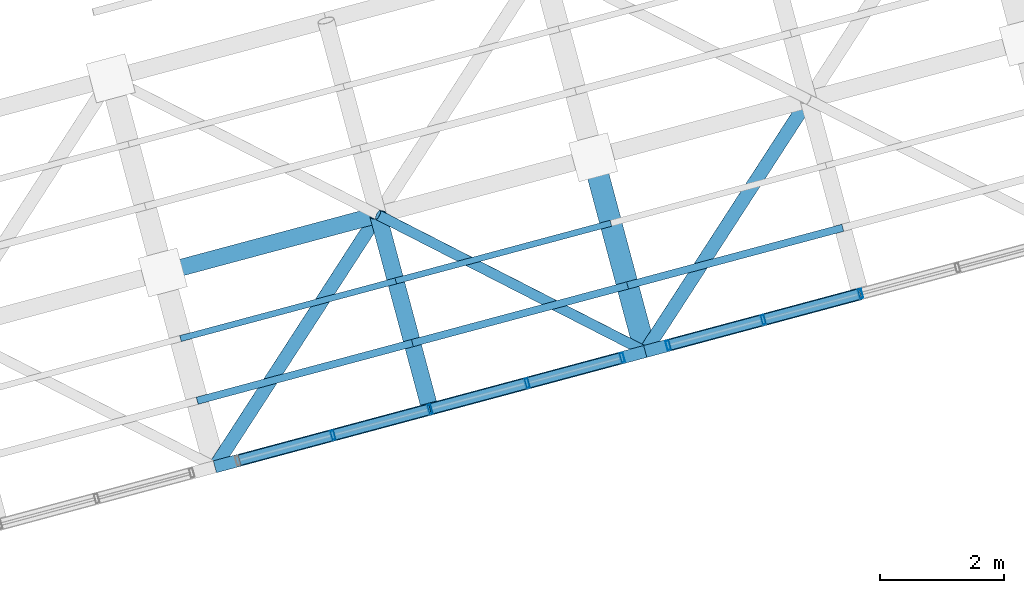
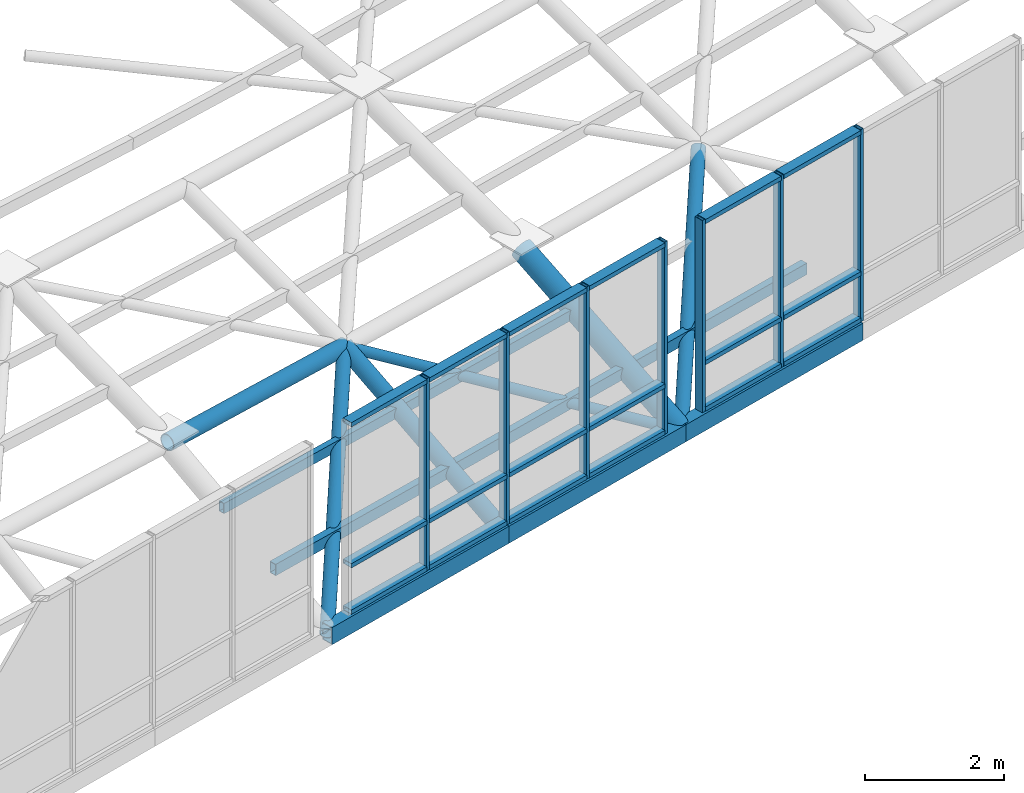
# One storey, part 3 of 29: 39 members, 2 elements without a shape of their own.
"""IFC4 building model written with IfcOpenShell, lengths in metres."""

from ifc_helpers import new_model, si_unit, direction, frame, origin, origin_2d, place, context, subcontext, project, spatial, hollow_rectangle, hollow_circle, extrude, material, layer, layer_set, material_profile, profile_set, type_object, element, aggregate, save


model = new_model("IFC4")

# Units and contexts
model_context = context("Model", 3, precision=1e-05, world=origin(), true_north=direction((0.0, 1.0)))
body_context = subcontext(model_context, "Body", "Model", "MODEL_VIEW")
ifc_project = project(units=[si_unit("LENGTHUNIT", "METRE"), si_unit("AREAUNIT", "SQUARE_METRE"), si_unit("VOLUMEUNIT", "CUBIC_METRE"), si_unit("PLANEANGLEUNIT", "RADIAN"), si_unit("MASSUNIT", "GRAM", prefix="KILO")], contexts=[model_context])

# Site, building, storey
site_placement = place(None, origin())
site = spatial("IfcSite", under=ifc_project, at=site_placement, CompositionType="ELEMENT")
building_placement = place(site_placement, origin())
building = spatial("IfcBuilding", under=site, at=building_placement, Name="Ventoquebrada Cableway Terminal", CompositionType="ELEMENT")
storey_placement = place(building_placement, frame((0.0, 0.0, 18.89990234375)))
storey = spatial("IfcBuildingStorey", under=building, at=storey_placement, Name="L04", CompositionType="ELEMENT", Elevation=18.89990234375)

# Members
ifc_material_1 = material(Name="Steel ASTM A500 Grade C", Category="steel")
ifc_material_profile_1 = material_profile(ifc_material_1, hollow_circle(Radius=0.109619140625, WallThickness=0.010009765625, at=origin_2d()), Name="CHS219.1X10")
ifc_profile_set_1 = profile_set([ifc_material_profile_1], Name="Steel ASTM A500 Grade C")
member_type_1 = type_object("IfcMemberType", Name="BRC-GS01", PredefinedType="BRACE", material=ifc_profile_set_1)
member_1_placement = place(storey_placement, frame((58.93310546875, 71.64794921875, 0.920166015625), z_axis=(0.514518979655, 0.794628506599, 0.322235559917), x_axis=(-0.839402648036, 0.543510068416, 0.0)))
element("IfcMember", 1, at=member_1_placement, inside=storey, type_object=member_type_1, Name="Saddle gridshell diagrid brace GBR-0241", PredefinedType="BRACE", context=body_context, shape_type="SweptSolid", body=[
    extrude(hollow_circle(Radius=0.109619140625, WallThickness=0.010009765625, at=origin_2d()), origin(), (0.0, 0.0, 1.0), 5.123291015625),
])
member_2_placement = place(storey_placement, frame((65.886962890625, 73.510986328125, 0.920166015625), z_axis=(0.516936568346, 0.79836225592, 0.308859664944), x_axis=(-0.839402648036, 0.543510068416, 0.0)))
element("IfcMember", 2, at=member_2_placement, inside=storey, type_object=member_type_1, Name="Saddle gridshell diagrid brace GBR-0289", PredefinedType="BRACE", context=body_context, shape_type="SweptSolid", body=[
    extrude(hollow_circle(Radius=0.109619140625, WallThickness=0.010009765625, at=origin_2d()), origin(), (0.0, 0.0, 1.0), 5.099365234375),
])
ifc_material_profile_2 = material_profile(ifc_material_1, hollow_circle(Radius=0.084228515625, WallThickness=0.008056640625, at=origin_2d()), Name="CHS168.3X8")
ifc_profile_set_2 = profile_set([ifc_material_profile_2], Name="Steel ASTM A500 Grade C")
member_type_2 = type_object("IfcMemberType", Name="BRC-GS02", PredefinedType="BRACE", material=ifc_profile_set_2)
member_3_placement = place(storey_placement, frame((61.569091796875, 75.718994140625, 2.571044921875), z_axis=(0.842847067078, -0.431002424214, -0.322251038538), x_axis=(0.455290222831, 0.890343087239, 0.0)))
element("IfcMember", 3, at=member_3_placement, inside=storey, type_object=member_type_2, Name="Saddle gridshell diagrid brace GBR-0265", PredefinedType="BRACE", context=body_context, shape_type="SweptSolid", body=[
    extrude(hollow_circle(Radius=0.084228515625, WallThickness=0.008056640625, at=origin_2d()), origin(), (0.0, 0.0, 1.0), 5.123046875),
])
ifc_material_profile_3 = material_profile(ifc_material_1, hollow_circle(Radius=0.177734375, WallThickness=0.012451171875, at=origin_2d()), Name="CHS355.6X12.5")
ifc_profile_set_3 = profile_set([ifc_material_profile_3], Name="Steel ASTM A500 Grade C")
member_type_3 = type_object("IfcMemberType", Name="CHD-GS01", PredefinedType="CHORD", material=ifc_profile_set_3)
member_4_placement = place(storey_placement, frame((65.886962890625, 73.510986328125, 0.920166015625), z_axis=(-0.232368388901, 0.867216364616, 0.440386998878), x_axis=(-0.965926253902, -0.258817449225, 0.0)))
element("IfcMember", 4, at=member_4_placement, inside=storey, type_object=member_type_3, Name="Saddle gridshell arch chord GCH-0047", PredefinedType="CHORD", context=body_context, shape_type="SweptSolid", body=[
    extrude(hollow_circle(Radius=0.177734375, WallThickness=0.012451171875, at=origin_2d()), origin(), (0.0, 0.0, 1.0), 3.61962890625),
])
ifc_material_profile_4 = material_profile(ifc_material_1, hollow_circle(Radius=0.136474609375, WallThickness=0.012451171875, at=origin_2d()), Name="CHS273.0X12.5")
ifc_profile_set_4 = profile_set([ifc_material_profile_4], Name="Steel ASTM A500 Grade C")
member_type_4 = type_object("IfcMemberType", Name="CHD-GS02", PredefinedType="CHORD", material=ifc_profile_set_4)
member_5_placement = place(storey_placement, frame((62.409912109375, 72.5791015625, 0.920166015625), z_axis=(-0.230631900019, 0.861253445456, 0.452826047599), x_axis=(-0.965965144809, -0.258672261778, 0.0)))
element("IfcMember", 5, at=member_5_placement, inside=storey, type_object=member_type_4, Name="Saddle gridshell arch chord GCH-0039", PredefinedType="CHORD", context=body_context, shape_type="SweptSolid", body=[
    extrude(hollow_circle(Radius=0.136474609375, WallThickness=0.012451171875, at=origin_2d()), origin(), (0.0, 0.0, 1.0), 3.645751953125),
])
member_6_placement = place(storey_placement, frame((58.091064453125, 74.787109375, 2.6650390625), z_axis=(0.965600345216, 0.258717992257, -0.026095474723), x_axis=(-0.25880612736, 0.965929287495, 0.0)))
element("IfcMember", 6, at=member_6_placement, inside=storey, type_object=member_type_4, Name="Saddle gridshell longitudinal chord GLG-0115", PredefinedType="CHORD", context=body_context, shape_type="SweptSolid", body=[
    extrude(hollow_circle(Radius=0.136474609375, WallThickness=0.012451171875, at=origin_2d()), origin(), (0.0, 0.0, 1.0), 3.60205078125),
])
ifc_material_profile_5 = material_profile(ifc_material_1, hollow_rectangle(XDim=0.199951171875, YDim=0.300048828125, WallThickness=0.012451171875, at=origin_2d()), Name="RHS300X200X12.5")
ifc_profile_set_5 = profile_set([ifc_material_profile_5], Name="Steel ASTM A500 Grade C")
member_type_5 = type_object("IfcMemberType", Name="CHD-GS03", PredefinedType="CHORD", material=ifc_profile_set_5)
member_7_placement = place(storey_placement, frame((58.93310546875, 71.64794921875, 0.920166015625), z_axis=(0.965957435169, 0.258701050329, 0.0), x_axis=(-0.258701050329, 0.965957435169, 0.0)))
element("IfcMember", 7, at=member_7_placement, inside=storey, type_object=member_type_5, Name="Saddle gridshell longitudinal chord GLG-0105", PredefinedType="CHORD", context=body_context, shape_type="SweptSolid", body=[
    extrude(hollow_rectangle(XDim=0.199951171875, YDim=0.300048828125, WallThickness=0.012451171875, at=origin_2d()), origin(), (0.0, 0.0, 1.0), 3.599365234375),
])
member_8_placement = place(storey_placement, frame((62.409912109375, 72.5791015625, 0.920166015625), z_axis=(0.965911114263, 0.258873944891, 0.0), x_axis=(-0.258873944891, 0.965911114263, 0.0)))
element("IfcMember", 8, at=member_8_placement, inside=storey, type_object=member_type_5, Name="Saddle gridshell longitudinal chord GLG-0106", PredefinedType="CHORD", context=body_context, shape_type="SweptSolid", body=[
    extrude(hollow_rectangle(XDim=0.199951171875, YDim=0.300048828125, WallThickness=0.012451171875, at=origin_2d()), origin(), (0.0, 0.0, 1.0), 3.599853515625),
])
member_9_placement = place(storey_placement, frame((65.886962890625, 73.510986328125, 0.920166015625), z_axis=(0.96591233562, 0.258869387716, 0.0), x_axis=(-0.258869387716, 0.96591233562, 0.0)))
element("IfcMember", 9, at=member_9_placement, inside=storey, type_object=member_type_5, Name="Saddle gridshell longitudinal chord GLG-0107", PredefinedType="CHORD", context=body_context, shape_type="SweptSolid", body=[
    extrude(hollow_rectangle(XDim=0.199951171875, YDim=0.300048828125, WallThickness=0.012451171875, at=origin_2d()), origin(), (0.0, 0.0, 1.0), 3.600830078125),
])

# Curtain wall, members
ifc_material_2 = material(Name="Anodized thermally-broken aluminium", Category="aluminium")
ifc_layer = layer(ifc_material_2, 0.159912109375)
ifc_layer_set = layer_set([ifc_layer], Name="Anodized thermally-broken aluminium")
curtain_wall_type = type_object("IfcCurtainWallType", Name="CW-T45", PredefinedType="USERDEFINED", material=ifc_layer_set)
curtain_wall_1_placement = place(storey_placement, origin())
curtain_wall_1 = element("IfcCurtainWall", 10, at=curtain_wall_1_placement, inside=storey, type_object=curtain_wall_type, Name="Unitised glazed curtain wall CW-134", ObjectType="UNITISED CURTAIN WALL", PredefinedType="USERDEFINED")
ifc_material_profile_6 = material_profile(ifc_material_2, hollow_rectangle(XDim=0.06005859375, YDim=0.14990234375, WallThickness=0.00390625, at=origin_2d()), Name="CW-MUL-60X150")
ifc_profile_set_6 = profile_set([ifc_material_profile_6], Name="Anodized thermally-broken aluminium")
member_type_6 = type_object("IfcMemberType", Name="CWM-03", PredefinedType="MULLION", material=ifc_profile_set_6)
member_10_placement = place(storey_placement, frame((60.841064453125, 72.158935546875, 1.087158203125), z_axis=(0.0, 0.0, 1.0), x_axis=(0.965894198369, 0.258937053273, 0.0)))
member_10 = element("IfcMember", 11, at=member_10_placement, type_object=member_type_6, Name="Curtain wall mullion FML-0652", PredefinedType="MULLION", context=body_context, shape_type="SweptSolid", body=[
    extrude(hollow_rectangle(XDim=0.06005859375, YDim=0.14990234375, WallThickness=0.00390625, at=origin_2d()), origin(), (0.0, 0.0, 1.0), 3.373046875),
])
member_11_placement = place(storey_placement, frame((62.409912109375, 72.5791015625, 1.087158203125), z_axis=(0.0, 0.0, 1.0), x_axis=(0.965894198369, 0.258937053273, 0.0)))
member_11 = element("IfcMember", 12, at=member_11_placement, type_object=member_type_6, Name="Curtain wall mullion FML-0653", PredefinedType="MULLION", context=body_context, shape_type="SweptSolid", body=[
    extrude(hollow_rectangle(XDim=0.06005859375, YDim=0.14990234375, WallThickness=0.00390625, at=origin_2d()), origin(), (0.0, 0.0, 1.0), 3.373046875),
])
member_12_placement = place(storey_placement, frame((63.97998046875, 73.0, 1.087158203125), z_axis=(0.0, 0.0, 1.0), x_axis=(0.965894198369, 0.258937053273, 0.0)))
member_12 = element("IfcMember", 13, at=member_12_placement, type_object=member_type_6, Name="Curtain wall mullion FML-0654", PredefinedType="MULLION", context=body_context, shape_type="SweptSolid", body=[
    extrude(hollow_rectangle(XDim=0.06005859375, YDim=0.14990234375, WallThickness=0.00390625, at=origin_2d()), origin(), (0.0, 0.0, 1.0), 3.373046875),
])
member_13_placement = place(storey_placement, frame((65.514892578125, 73.412109375, 1.087158203125), z_axis=(0.0, 0.0, 1.0), x_axis=(0.965894198369, 0.258937053273, 0.0)))
member_13 = element("IfcMember", 14, at=member_13_placement, type_object=member_type_6, Name="Curtain wall mullion FML-0655", PredefinedType="MULLION", context=body_context, shape_type="SweptSolid", body=[
    extrude(hollow_rectangle(XDim=0.06005859375, YDim=0.14990234375, WallThickness=0.00390625, at=origin_2d()), origin(), (0.0, 0.0, 1.0), 3.373046875),
])

curtain_wall_2_placement = place(storey_placement, origin())
curtain_wall_2 = element("IfcCurtainWall", 15, at=curtain_wall_2_placement, inside=storey, type_object=curtain_wall_type, Name="Unitised glazed curtain wall CW-135", ObjectType="UNITISED CURTAIN WALL", PredefinedType="USERDEFINED")
member_14_placement = place(storey_placement, frame((66.259033203125, 73.611083984375, 1.087158203125), z_axis=(0.0, 0.0, 1.0), x_axis=(0.965943892913, 0.258751610128, 0.0)))
member_14 = element("IfcMember", 16, at=member_14_placement, type_object=member_type_6, Name="Curtain wall mullion FML-0656", PredefinedType="MULLION", context=body_context, shape_type="SweptSolid", body=[
    extrude(hollow_rectangle(XDim=0.06005859375, YDim=0.14990234375, WallThickness=0.00390625, at=origin_2d()), origin(), (0.0, 0.0, 1.0), 3.373046875),
])
member_15_placement = place(storey_placement, frame((67.794921875, 74.02294921875, 1.087158203125), z_axis=(0.0, 0.0, 1.0), x_axis=(0.965943892913, 0.258751610128, 0.0)))
member_15 = element("IfcMember", 17, at=member_15_placement, type_object=member_type_6, Name="Curtain wall mullion FML-0657", PredefinedType="MULLION", context=body_context, shape_type="SweptSolid", body=[
    extrude(hollow_rectangle(XDim=0.06005859375, YDim=0.14990234375, WallThickness=0.00390625, at=origin_2d()), origin(), (0.0, 0.0, 1.0), 3.373046875),
])
member_16_placement = place(storey_placement, frame((69.364013671875, 74.443115234375, 1.087158203125), z_axis=(0.0, 0.0, 1.0), x_axis=(0.965943892913, 0.258751610128, 0.0)))
member_16 = element("IfcMember", 18, at=member_16_placement, type_object=member_type_6, Name="Curtain wall mullion FML-0658", PredefinedType="MULLION", context=body_context, shape_type="SweptSolid", body=[
    extrude(hollow_rectangle(XDim=0.06005859375, YDim=0.14990234375, WallThickness=0.00390625, at=origin_2d()), origin(), (0.0, 0.0, 1.0), 3.373046875),
])

# Member
ifc_material_profile_7 = material_profile(ifc_material_2, hollow_rectangle(XDim=0.074951171875, YDim=0.169921875, WallThickness=0.00439453125, at=origin_2d()), Name="CW-TRN-75X170")
ifc_profile_set_7 = profile_set([ifc_material_profile_7], Name="Anodized thermally-broken aluminium")
member_type_7 = type_object("IfcMemberType", Name="CWT-03", PredefinedType="USERDEFINED", material=ifc_profile_set_7)
member_17_placement = place(storey_placement, frame((59.3291015625, 71.75390625, 1.130126953125), z_axis=(0.965957961207, 0.258699086162, 0.0), x_axis=(0.0, 0.0, 1.0)))
member_17 = element("IfcMember", 19, at=member_17_placement, type_object=member_type_7, Name="Curtain wall transom FTR-1932", ObjectType="TRANSOM", PredefinedType="USERDEFINED", context=body_context, shape_type="SweptSolid", body=[
    extrude(hollow_rectangle(XDim=0.074951171875, YDim=0.169921875, WallThickness=0.00439453125, at=origin_2d()), origin(), (0.0, 0.0, 1.0), 1.539306640625),
])

member_18_placement = place(storey_placement, frame((59.3291015625, 71.75390625, 1.945068359375), z_axis=(0.965957961207, 0.258699086162, 0.0), x_axis=(0.0, 0.0, 1.0)))
member_18 = element("IfcMember", 20, at=member_18_placement, type_object=member_type_7, Name="Curtain wall transom FTR-1933", ObjectType="TRANSOM", PredefinedType="USERDEFINED", context=body_context, shape_type="SweptSolid", body=[
    extrude(hollow_rectangle(XDim=0.074951171875, YDim=0.169921875, WallThickness=0.00439453125, at=origin_2d()), origin(), (0.0, 0.0, 1.0), 1.539306640625),
])

member_19_placement = place(storey_placement, frame((59.3291015625, 71.75390625, 4.420166015625), z_axis=(0.965957961207, 0.258699086162, 0.0), x_axis=(0.0, 0.0, 1.0)))
member_19 = element("IfcMember", 21, at=member_19_placement, type_object=member_type_7, Name="Curtain wall transom FTR-1934", ObjectType="TRANSOM", PredefinedType="USERDEFINED", context=body_context, shape_type="SweptSolid", body=[
    extrude(hollow_rectangle(XDim=0.074951171875, YDim=0.169921875, WallThickness=0.00439453125, at=origin_2d()), origin(), (0.0, 0.0, 1.0), 1.539306640625),
])

member_20_placement = place(storey_placement, frame((60.864990234375, 72.1650390625, 1.130126953125), z_axis=(0.965860816082, 0.259061544731, 0.0), x_axis=(0.0, 0.0, 1.0)))
member_20 = element("IfcMember", 22, at=member_20_placement, type_object=member_type_7, Name="Curtain wall transom FTR-1935", ObjectType="TRANSOM", PredefinedType="USERDEFINED", context=body_context, shape_type="SweptSolid", body=[
    extrude(hollow_rectangle(XDim=0.074951171875, YDim=0.169921875, WallThickness=0.00439453125, at=origin_2d()), origin(), (0.0, 0.0, 1.0), 1.57470703125),
])

member_21_placement = place(storey_placement, frame((60.864990234375, 72.1650390625, 1.945068359375), z_axis=(0.965860816082, 0.259061544731, 0.0), x_axis=(0.0, 0.0, 1.0)))
member_21 = element("IfcMember", 23, at=member_21_placement, type_object=member_type_7, Name="Curtain wall transom FTR-1936", ObjectType="TRANSOM", PredefinedType="USERDEFINED", context=body_context, shape_type="SweptSolid", body=[
    extrude(hollow_rectangle(XDim=0.074951171875, YDim=0.169921875, WallThickness=0.00439453125, at=origin_2d()), origin(), (0.0, 0.0, 1.0), 1.57470703125),
])

member_22_placement = place(storey_placement, frame((60.864990234375, 72.1650390625, 4.420166015625), z_axis=(0.965860816082, 0.259061544731, 0.0), x_axis=(0.0, 0.0, 1.0)))
member_22 = element("IfcMember", 24, at=member_22_placement, type_object=member_type_7, Name="Curtain wall transom FTR-1937", ObjectType="TRANSOM", PredefinedType="USERDEFINED", context=body_context, shape_type="SweptSolid", body=[
    extrude(hollow_rectangle(XDim=0.074951171875, YDim=0.169921875, WallThickness=0.00439453125, at=origin_2d()), origin(), (0.0, 0.0, 1.0), 1.57470703125),
])

member_23_placement = place(storey_placement, frame((62.43408203125, 72.5859375, 1.130126953125), z_axis=(0.965860816082, 0.259061544731, 0.0), x_axis=(0.0, 0.0, 1.0)))
member_23 = element("IfcMember", 25, at=member_23_placement, type_object=member_type_7, Name="Curtain wall transom FTR-1938", ObjectType="TRANSOM", PredefinedType="USERDEFINED", context=body_context, shape_type="SweptSolid", body=[
    extrude(hollow_rectangle(XDim=0.074951171875, YDim=0.169921875, WallThickness=0.00439453125, at=origin_2d()), origin(), (0.0, 0.0, 1.0), 1.57470703125),
])

member_24_placement = place(storey_placement, frame((62.43408203125, 72.5859375, 1.945068359375), z_axis=(0.965860816082, 0.259061544731, 0.0), x_axis=(0.0, 0.0, 1.0)))
member_24 = element("IfcMember", 26, at=member_24_placement, type_object=member_type_7, Name="Curtain wall transom FTR-1939", ObjectType="TRANSOM", PredefinedType="USERDEFINED", context=body_context, shape_type="SweptSolid", body=[
    extrude(hollow_rectangle(XDim=0.074951171875, YDim=0.169921875, WallThickness=0.00439453125, at=origin_2d()), origin(), (0.0, 0.0, 1.0), 1.57470703125),
])

member_25_placement = place(storey_placement, frame((62.43408203125, 72.5859375, 4.420166015625), z_axis=(0.965860816082, 0.259061544731, 0.0), x_axis=(0.0, 0.0, 1.0)))
member_25 = element("IfcMember", 27, at=member_25_placement, type_object=member_type_7, Name="Curtain wall transom FTR-1940", ObjectType="TRANSOM", PredefinedType="USERDEFINED", context=body_context, shape_type="SweptSolid", body=[
    extrude(hollow_rectangle(XDim=0.074951171875, YDim=0.169921875, WallThickness=0.00439453125, at=origin_2d()), origin(), (0.0, 0.0, 1.0), 1.57470703125),
])

member_26_placement = place(storey_placement, frame((64.00390625, 73.007080078125, 1.130126953125), z_axis=(0.966008188998, 0.258511467422, 0.0), x_axis=(0.0, 0.0, 1.0)))
member_26 = element("IfcMember", 28, at=member_26_placement, type_object=member_type_7, Name="Curtain wall transom FTR-1941", ObjectType="TRANSOM", PredefinedType="USERDEFINED", context=body_context, shape_type="SweptSolid", body=[
    extrude(hollow_rectangle(XDim=0.074951171875, YDim=0.169921875, WallThickness=0.00439453125, at=origin_2d()), origin(), (0.0, 0.0, 1.0), 1.539306640625),
])

member_27_placement = place(storey_placement, frame((64.00390625, 73.007080078125, 1.945068359375), z_axis=(0.966008188998, 0.258511467422, 0.0), x_axis=(0.0, 0.0, 1.0)))
member_27 = element("IfcMember", 29, at=member_27_placement, type_object=member_type_7, Name="Curtain wall transom FTR-1942", ObjectType="TRANSOM", PredefinedType="USERDEFINED", context=body_context, shape_type="SweptSolid", body=[
    extrude(hollow_rectangle(XDim=0.074951171875, YDim=0.169921875, WallThickness=0.00439453125, at=origin_2d()), origin(), (0.0, 0.0, 1.0), 1.539306640625),
])

member_28_placement = place(storey_placement, frame((64.00390625, 73.007080078125, 4.420166015625), z_axis=(0.966008188998, 0.258511467422, 0.0), x_axis=(0.0, 0.0, 1.0)))
member_28 = element("IfcMember", 30, at=member_28_placement, type_object=member_type_7, Name="Curtain wall transom FTR-1943", ObjectType="TRANSOM", PredefinedType="USERDEFINED", context=body_context, shape_type="SweptSolid", body=[
    extrude(hollow_rectangle(XDim=0.074951171875, YDim=0.169921875, WallThickness=0.00439453125, at=origin_2d()), origin(), (0.0, 0.0, 1.0), 1.539306640625),
])

aggregate(curtain_wall_1, [member_10, member_11, member_12, member_13, member_17, member_18, member_19, member_20, member_21, member_22, member_23, member_24, member_25, member_26, member_27, member_28])

member_29_placement = place(storey_placement, frame((66.282958984375, 73.617919921875, 1.130126953125), z_axis=(0.966010976588, 0.258501050503, 0.0), x_axis=(0.0, 0.0, 1.0)))
member_29 = element("IfcMember", 31, at=member_29_placement, type_object=member_type_7, Name="Curtain wall transom FTR-1944", ObjectType="TRANSOM", PredefinedType="USERDEFINED", context=body_context, shape_type="SweptSolid", body=[
    extrude(hollow_rectangle(XDim=0.074951171875, YDim=0.169921875, WallThickness=0.00439453125, at=origin_2d()), origin(), (0.0, 0.0, 1.0), 1.540283203125),
])

member_30_placement = place(storey_placement, frame((66.282958984375, 73.617919921875, 1.945068359375), z_axis=(0.966010976588, 0.258501050503, 0.0), x_axis=(0.0, 0.0, 1.0)))
member_30 = element("IfcMember", 32, at=member_30_placement, type_object=member_type_7, Name="Curtain wall transom FTR-1945", ObjectType="TRANSOM", PredefinedType="USERDEFINED", context=body_context, shape_type="SweptSolid", body=[
    extrude(hollow_rectangle(XDim=0.074951171875, YDim=0.169921875, WallThickness=0.00439453125, at=origin_2d()), origin(), (0.0, 0.0, 1.0), 1.540283203125),
])

member_31_placement = place(storey_placement, frame((66.282958984375, 73.617919921875, 4.420166015625), z_axis=(0.966010976588, 0.258501050503, 0.0), x_axis=(0.0, 0.0, 1.0)))
member_31 = element("IfcMember", 33, at=member_31_placement, type_object=member_type_7, Name="Curtain wall transom FTR-1946", ObjectType="TRANSOM", PredefinedType="USERDEFINED", context=body_context, shape_type="SweptSolid", body=[
    extrude(hollow_rectangle(XDim=0.074951171875, YDim=0.169921875, WallThickness=0.00439453125, at=origin_2d()), origin(), (0.0, 0.0, 1.0), 1.540283203125),
])

member_32_placement = place(storey_placement, frame((67.819091796875, 74.029052734375, 1.130126953125), z_axis=(0.965860816082, 0.259061544731, 0.0), x_axis=(0.0, 0.0, 1.0)))
member_32 = element("IfcMember", 34, at=member_32_placement, type_object=member_type_7, Name="Curtain wall transom FTR-1947", ObjectType="TRANSOM", PredefinedType="USERDEFINED", context=body_context, shape_type="SweptSolid", body=[
    extrude(hollow_rectangle(XDim=0.074951171875, YDim=0.169921875, WallThickness=0.00439453125, at=origin_2d()), origin(), (0.0, 0.0, 1.0), 1.57470703125),
])

member_33_placement = place(storey_placement, frame((67.819091796875, 74.029052734375, 1.945068359375), z_axis=(0.965860816082, 0.259061544731, 0.0), x_axis=(0.0, 0.0, 1.0)))
member_33 = element("IfcMember", 35, at=member_33_placement, type_object=member_type_7, Name="Curtain wall transom FTR-1948", ObjectType="TRANSOM", PredefinedType="USERDEFINED", context=body_context, shape_type="SweptSolid", body=[
    extrude(hollow_rectangle(XDim=0.074951171875, YDim=0.169921875, WallThickness=0.00439453125, at=origin_2d()), origin(), (0.0, 0.0, 1.0), 1.57470703125),
])

member_34_placement = place(storey_placement, frame((67.819091796875, 74.029052734375, 4.420166015625), z_axis=(0.965860816082, 0.259061544731, 0.0), x_axis=(0.0, 0.0, 1.0)))
member_34 = element("IfcMember", 36, at=member_34_placement, type_object=member_type_7, Name="Curtain wall transom FTR-1949", ObjectType="TRANSOM", PredefinedType="USERDEFINED", context=body_context, shape_type="SweptSolid", body=[
    extrude(hollow_rectangle(XDim=0.074951171875, YDim=0.169921875, WallThickness=0.00439453125, at=origin_2d()), origin(), (0.0, 0.0, 1.0), 1.57470703125),
])

aggregate(curtain_wall_2, [member_14, member_15, member_16, member_29, member_30, member_31, member_32, member_33, member_34])

# Members
ifc_material_profile_8 = material_profile(ifc_material_1, hollow_rectangle(XDim=0.1201171875, YDim=0.199951171875, WallThickness=0.008056640625, at=origin_2d()), Name="RHS200X120X8")
ifc_profile_set_8 = profile_set([ifc_material_profile_8], Name="Steel ASTM A500 Grade C")
member_type_8 = type_object("IfcMemberType", Name="PUR-RF01", PredefinedType="PURLIN", material=ifc_profile_set_8)
member_35_placement = place(storey_placement, frame((58.64697265625, 72.715087890625, 1.51318359375), z_axis=(0.965872993954, 0.258863728263, -0.008884241132), x_axis=(-0.258873944891, 0.965911114263, 0.0)))
element("IfcMember", 37, at=member_35_placement, inside=storey, type_object=member_type_8, Name="Gridshell secondary roof purlin GPR-0242", PredefinedType="PURLIN", context=body_context, shape_type="SweptSolid", body=[
    extrude(hollow_rectangle(XDim=0.1201171875, YDim=0.199951171875, WallThickness=0.008056640625, at=origin_2d()), origin(), (0.0, 0.0, 1.0), 3.599853515625),
])
member_36_placement = place(storey_placement, frame((62.1240234375, 73.64697265625, 1.481201171875), z_axis=(0.965965402565, 0.258617194213, -0.005290359598), x_axis=(-0.258620813366, 0.965978920523, 0.0)))
element("IfcMember", 38, at=member_36_placement, inside=storey, type_object=member_type_8, Name="Gridshell secondary roof purlin GPR-0266", PredefinedType="PURLIN", context=body_context, shape_type="SweptSolid", body=[
    extrude(hollow_rectangle(XDim=0.1201171875, YDim=0.199951171875, WallThickness=0.008056640625, at=origin_2d()), origin(), (0.0, 0.0, 1.0), 3.599609375),
])
member_37_placement = place(storey_placement, frame((65.60107421875, 74.577880859375, 1.462158203125), z_axis=(0.965910468415, 0.258868887295, -0.001966264466), x_axis=(-0.258869387716, 0.96591233562, 0.0)))
element("IfcMember", 39, at=member_37_placement, inside=storey, type_object=member_type_8, Name="Gridshell secondary roof purlin GPR-0290", PredefinedType="PURLIN", context=body_context, shape_type="SweptSolid", body=[
    extrude(hollow_rectangle(XDim=0.1201171875, YDim=0.199951171875, WallThickness=0.008056640625, at=origin_2d()), origin(), (0.0, 0.0, 1.0), 3.600830078125),
])
ifc_material_profile_9 = material_profile(ifc_material_1, hollow_rectangle(XDim=0.10009765625, YDim=0.179931640625, WallThickness=0.008056640625, at=origin_2d()), Name="RHS180X100X8")
ifc_profile_set_9 = profile_set([ifc_material_profile_9], Name="Steel ASTM A500 Grade C")
member_type_9 = type_object("IfcMemberType", Name="PUR-RF02", PredefinedType="PURLIN", material=ifc_profile_set_9)
member_38_placement = place(storey_placement, frame((58.376953125, 73.719970703125, 2.072021484375), z_axis=(0.965853813551, 0.258514712275, -0.017220754502), x_axis=(-0.258553052639, 0.965997059504, 0.0)))
element("IfcMember", 40, at=member_38_placement, inside=storey, type_object=member_type_9, Name="Gridshell secondary roof purlin GPR-0243", PredefinedType="PURLIN", context=body_context, shape_type="SweptSolid", body=[
    extrude(hollow_rectangle(XDim=0.10009765625, YDim=0.179931640625, WallThickness=0.008056640625, at=origin_2d()), origin(), (0.0, 0.0, 1.0), 3.60107421875),
])
member_39_placement = place(storey_placement, frame((61.85498046875, 74.65087890625, 2.010009765625), z_axis=(0.965840790353, 0.258922913746, -0.010511537881), x_axis=(-0.258937219442, 0.965894153822, 0.0)))
element("IfcMember", 41, at=member_39_placement, inside=storey, type_object=member_type_9, Name="Gridshell secondary roof purlin GPR-0267", PredefinedType="PURLIN", context=body_context, shape_type="SweptSolid", body=[
    extrude(hollow_rectangle(XDim=0.10009765625, YDim=0.179931640625, WallThickness=0.008056640625, at=origin_2d()), origin(), (0.0, 0.0, 1.0), 3.60009765625),
])

save(model, "model.ifc")
